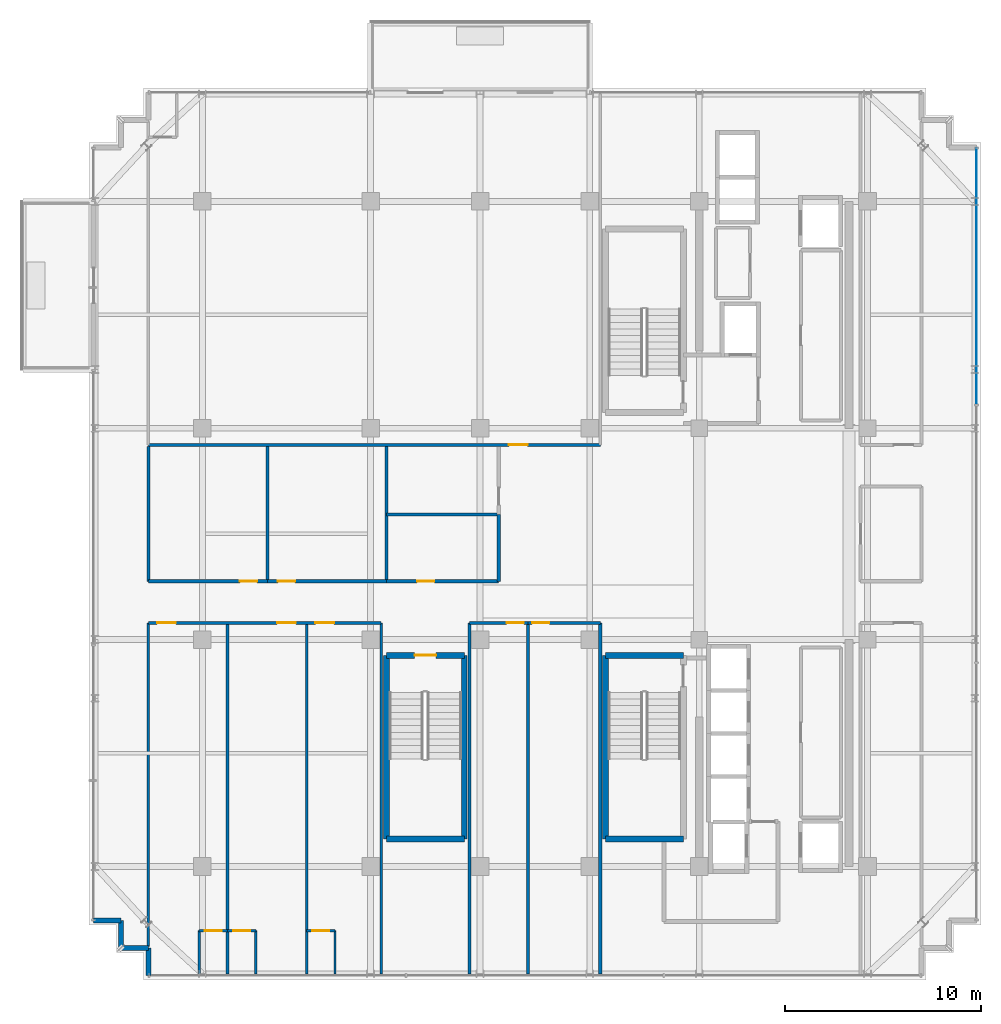
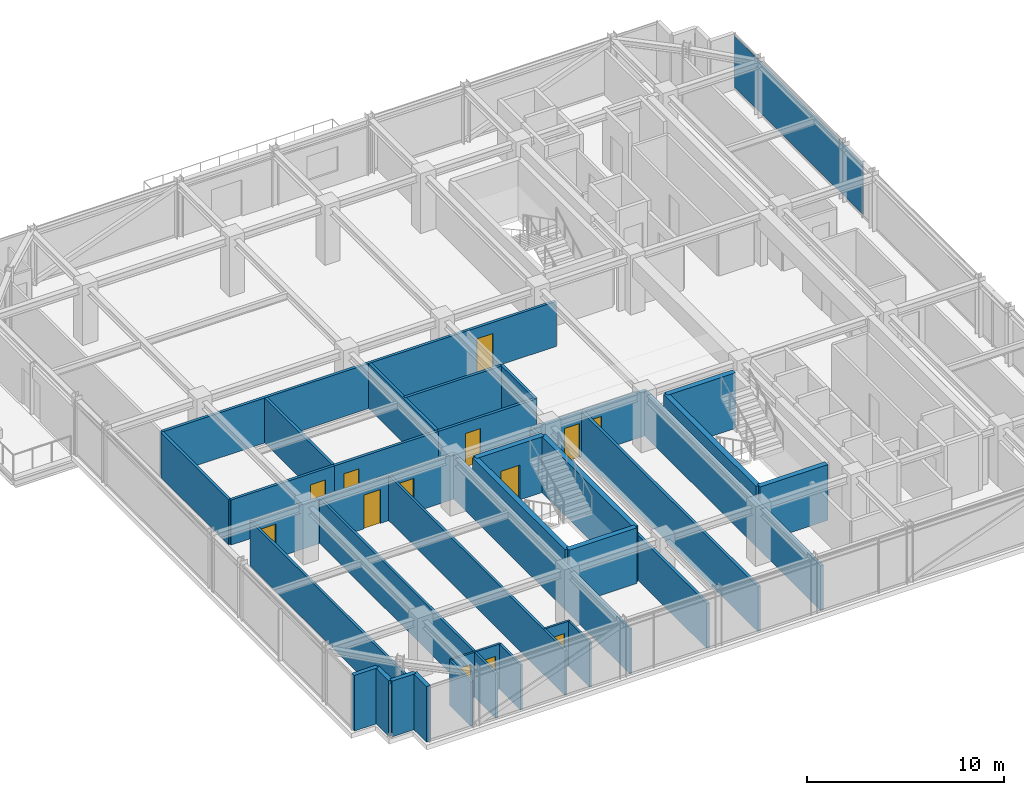
# One storey, part 30 of 36: 36 walls, 13 doors, 1 plate, 13 openings, 1 element without a shape of its own.
"""IFC4 building model written with IfcOpenShell, lengths in metres."""

from ifc_helpers import new_model, si_unit, direction, frame, frame_2d, origin, origin_2d, place, context, subcontext, project, spatial, rectangle, extrude, source, transform, mapped, material, layer, layer_set, type_object, element, fill, aggregate, save


model = new_model("IFC4")

# Units and contexts
model_context = context("Model", 3, precision=1e-05, world=origin(), true_north=direction((0.0, 1.0)))
body_context = subcontext(model_context, "Body", "Model", "MODEL_VIEW")
ifc_project = project(units=[si_unit("LENGTHUNIT", "METRE"), si_unit("AREAUNIT", "SQUARE_METRE"), si_unit("VOLUMEUNIT", "CUBIC_METRE"), si_unit("PLANEANGLEUNIT", "RADIAN"), si_unit("MASSUNIT", "GRAM", prefix="KILO")], contexts=[model_context])

# Site, building, storey
site_placement = place(None, origin())
site = spatial("IfcSite", under=ifc_project, at=site_placement, CompositionType="ELEMENT")
building_placement = place(site_placement, origin())
building = spatial("IfcBuilding", under=site, at=building_placement, Name="Nahalor Promenade Grand Hotel", CompositionType="ELEMENT")
storey_placement = place(building_placement, frame((0.0, 0.0, 273.800048828125)))
storey = spatial("IfcBuildingStorey", under=building, at=storey_placement, Name="L70", CompositionType="ELEMENT", Elevation=273.800048828125)

# Curtain wall, plate
ifc_material_1 = material(Name="Anodised Bronze Aluminium EN AW-6063 T6", Category="aluminium")
curtain_wall_type = type_object("IfcCurtainWallType", Name="CW2 Typical Hotel Flush Bronze Unitised Curtain Wall", PredefinedType="USERDEFINED", material=ifc_material_1)
curtain_wall_placement = place(storey_placement, origin())
curtain_wall = element("IfcCurtainWall", 1, at=curtain_wall_placement, inside=storey, type_object=curtain_wall_type, Name="L70 Curtain Wall CW-L70-E-1", ObjectType="UNITISED_CURTAIN_WALL", PredefinedType="USERDEFINED")
ifc_material_2 = material(Name="Low-E Laminated Solar Glass", Category="glass")
ifc_layer_1 = layer(ifc_material_2, 0.028076171875)
ifc_layer_set_1 = layer_set([ifc_layer_1], Name="Low-E Laminated Solar Glass")
plate_type = type_object("IfcPlateType", Name="CWP2 Bronze Low-E Vision IGU 28mm", PredefinedType="CURTAIN_PANEL", material=ifc_layer_set_1)
shared_shape_1 = source(origin(), body_context, "Body", "SweptSolid", [
    extrude(rectangle(XDim=13.075927734375, YDim=0.028076171875, at=origin_2d()), origin(), (0.0, 0.0, 1.0), 3.18994140625),
])
plate_placement = place(storey_placement, frame((22.56005859375, 13.156982421875, 0.1298828125), z_axis=(0.0, 0.0, 1.0), x_axis=(0.0, 1.0, 0.0)))
plate = element("IfcPlate", 2, at=plate_placement, type_object=plate_type, Name="CW-L70-E-1 Glazing Panel 2-0", PredefinedType="CURTAIN_PANEL", context=body_context, shape_type="MappedRepresentation", body=[
    mapped(shared_shape_1, transform((0.0, 0.0, 0.0), scale=1.0)),
])
aggregate(curtain_wall, [plate])

# Walls
ifc_material_3 = material(Name="Concrete B-50 (C40/50)", Category="concrete")
ifc_layer_2 = layer(ifc_material_3, 0.300048828125)
ifc_layer_set_2 = layer_set([ifc_layer_2], Name="Concrete B-50 (C40/50)")
wall_type_1 = type_object("IfcWallType", Name="Wall-ShaftShear-300", PredefinedType="SHEAR", material=ifc_layer_set_2)
shared_shape_2 = source(origin(), body_context, "Body", "SweptSolid", [
    extrude(rectangle(XDim=3.97998046875, YDim=0.300048828125, at=frame_2d((1.989990234375, 0.0))), origin(), (0.0, 0.0, 1.0), 3.449951171875),
])
for number, where, z_axis, x_axis, name in (
    (3, (3.610107421875, -15.590087890625, 0.0), (0.0, 0.0, 1.0), (1.0, 0.0, 0.0), "L70 Exit Stair ST2 Shaft Wall S"),
    (4, (3.610107421875, -6.2099609375, 0.0), (0.0, 0.0, 1.0), (1.0, 0.0, 0.0), "L70 Exit Stair ST2 Shaft Wall N"),
    (5, (-7.590087890625, -15.590087890625, 0.0), (0.0, 0.0, 1.0), (1.0, 0.0, 0.0), "L70 Exit Stair ST3 Shaft Wall S"),
):
    element("IfcWall", number, at=place(storey_placement, frame(where, z_axis=z_axis, x_axis=x_axis)), inside=storey, type_object=wall_type_1, Name=name, PredefinedType="SHEAR", context=body_context, shape_type="MappedRepresentation", body=[
        mapped(shared_shape_2, transform((0.0, 0.0, 0.0), scale=1.0)),
    ])

# Wall, opening, door
wall_1_placement = place(storey_placement, frame((-7.590087890625, -6.2099609375, 0.0), z_axis=(0.0, 0.0, 1.0), x_axis=(1.0, 0.0, 0.0)))
wall_1 = element("IfcWall", 6, at=wall_1_placement, inside=storey, type_object=wall_type_1, Name="L70 Exit Stair ST3 Shaft Wall N", PredefinedType="SHEAR", context=body_context, shape_type="MappedRepresentation", body=[
    mapped(shared_shape_2, transform((0.0, 0.0, 0.0), scale=1.0)),
])
opening_1_placement = place(wall_1_placement, frame((1.43994140625, 0.0, 0.0)))
opening_1 = element("IfcOpeningElement", 7, at=opening_1_placement, cuts=wall_1, Name="Opening D-ST1", PredefinedType="OPENING", context=body_context, shape_type="SweptSolid", body=[
    extrude(rectangle(XDim=1.10009765625, YDim=2.14990234375, at=frame_2d((0.550048828125, 1.074951171875))), frame((0.0, 0.159912109375, 0.0), z_axis=(0.0, -1.0, 0.0), x_axis=(1.0, 0.0, 0.0)), (0.0, 0.0, 1.0), 0.320068359375),
])
ifc_material_4 = material(Name="Steel S355JR", Category="steel")
door_type_1 = type_object("IfcDoorType", Name="Door-StairFire-1100", OperationType="NOTDEFINED", PredefinedType="DOOR", material=ifc_material_4)
shared_shape_3 = source(origin(), body_context, "Body", "SweptSolid", [
    extrude(rectangle(XDim=1.10009765625, YDim=2.14990234375, at=frame_2d((0.550048828125, 1.074951171875))), frame((0.0, 0.02490234375, 0.0), z_axis=(0.0, -1.0, 0.0), x_axis=(1.0, 0.0, 0.0)), (0.0, 0.0, 1.0), 0.050048828125),
])
door_1_placement = place(opening_1_placement, frame((1.10009765625, 0.0, 0.0), z_axis=(0.0, 0.0, 1.0), x_axis=(-1.0, 0.0, 0.0)))
door_1 = element("IfcDoor", 8, at=door_1_placement, inside=storey, type_object=door_type_1, Name="DR-STAIR-ST3-L70", OperationType="SINGLE_SWING_LEFT", OverallHeight=2.14990234375, OverallWidth=1.10009765625, PredefinedType="DOOR", context=body_context, shape_type="MappedRepresentation", body=[
    mapped(shared_shape_3, transform((0.0, 0.0, 0.0), scale=1.0)),
])
fill(opening_1, door_1)

# Walls
shared_shape_4 = source(origin(), body_context, "Body", "SweptSolid", [
    extrude(rectangle(XDim=9.380126953125, YDim=0.300048828125, at=frame_2d((4.68994140625, 0.0))), origin(), (0.0, 0.0, 1.0), 3.449951171875),
])
for number, where, z_axis, x_axis, name in (
    (9, (3.610107421875, -15.590087890625, 0.0), (0.0, 0.0, 1.0), (0.0, 1.0, 0.0), "L70 Exit Stair ST2 Shaft Wall W"),
    (10, (-7.590087890625, -15.590087890625, 0.0), (0.0, 0.0, 1.0), (0.0, 1.0, 0.0), "L70 Exit Stair ST3 Shaft Wall W"),
    (11, (-3.610107421875, -15.590087890625, 0.0), (0.0, 0.0, 1.0), (0.0, 1.0, 0.0), "L70 Exit Stair ST3 Shaft Wall E"),
):
    element("IfcWall", number, at=place(storey_placement, frame(where, z_axis=z_axis, x_axis=x_axis)), inside=storey, type_object=wall_type_1, Name=name, PredefinedType="SHEAR", context=body_context, shape_type="MappedRepresentation", body=[
        mapped(shared_shape_4, transform((0.0, 0.0, 0.0), scale=1.0)),
    ])
ifc_material_5 = material(Name="Concrete B-40 (C32/40)", Category="concrete")
ifc_layer_3 = layer(ifc_material_5, 0.25)
ifc_layer_set_3 = layer_set([ifc_layer_3], Name="Concrete B-40 (C32/40)")
wall_type_2 = type_object("IfcWallType", Name="Wall-BronzePier-250", PredefinedType="STANDARD", material=ifc_layer_set_3)
shared_shape_5 = source(origin(), body_context, "Body", "SweptSolid", [
    extrude(rectangle(XDim=1.400146484375, YDim=0.25, at=frame_2d((0.7001953125, 0.0))), origin(), (0.0, 0.0, 1.0), 3.449951171875),
])
for number, where, z_axis, x_axis, name in (
    (12, (-22.56005859375, -19.760009765625, 0.0), (0.0, 0.0, 1.0), (1.0, 0.0, 0.0), "W-L70-SR-13"),
    (13, (-19.760009765625, -22.56005859375, 0.0), (0.0, 0.0, 1.0), (0.0, 1.0, 0.0), "W-L70-SR-16"),
):
    element("IfcWall", number, at=place(storey_placement, frame(where, z_axis=z_axis, x_axis=x_axis)), inside=storey, type_object=wall_type_2, Name=name, PredefinedType="STANDARD", context=body_context, shape_type="MappedRepresentation", body=[
        mapped(shared_shape_5, transform((0.0, 0.0, 0.0), scale=1.0)),
    ])
shared_shape_6 = source(origin(), body_context, "Body", "SweptSolid", [
    extrude(rectangle(XDim=1.39990234375, YDim=0.25, at=frame_2d((0.699951171875, 0.0))), origin(), (0.0, 0.0, 1.0), 3.449951171875),
])
for number, where, z_axis, x_axis, name in (
    (14, (-21.159912109375, -21.159912109375, 0.0), (0.0, 0.0, 1.0), (0.0, 1.0, 0.0), "W-L70-SR-14"),
    (15, (-21.159912109375, -21.159912109375, 0.0), (0.0, 0.0, 1.0), (1.0, 0.0, 0.0), "W-L70-SR-15"),
):
    element("IfcWall", number, at=place(storey_placement, frame(where, z_axis=z_axis, x_axis=x_axis)), inside=storey, type_object=wall_type_2, Name=name, PredefinedType="STANDARD", context=body_context, shape_type="MappedRepresentation", body=[
        mapped(shared_shape_6, transform((0.0, 0.0, 0.0), scale=1.0)),
    ])
ifc_material_6 = material(Name="Acoustic Mineral Gypsum", Category="gypsum")
ifc_layer_4 = layer(ifc_material_6, 0.159912109375)
ifc_layer_set_4 = layer_set([ifc_layer_4], Name="Acoustic Mineral Gypsum")
wall_type_3 = type_object("IfcWallType", Name="Wall-PartCorridor-160", PredefinedType="PARTITIONING", material=ifc_layer_set_4)
shared_shape_7 = source(origin(), body_context, "Body", "SweptSolid", [
    extrude(rectangle(XDim=17.949951171875, YDim=0.159912109375, at=frame_2d((8.97509765625, 0.0))), origin(), (0.0, 0.0, 1.0), 2.7900390625),
])
for number, where, z_axis, x_axis, name in (
    (16, (-3.340087890625, -22.5, 0.0), (0.0, 0.0, 1.0), (0.0, 1.0, 0.0), "W-L70-SCB1-W"),
    (17, (-0.35009765625, -22.5, 0.0), (0.0, 0.0, 1.0), (0.0, 1.0, 0.0), "W-L70-SCB1-E"),
    (18, (3.340087890625, -22.5, 0.0), (0.0, 0.0, 1.0), (0.0, 1.0, 0.0), "W-L70-SCB2-E"),
):
    element("IfcWall", number, at=place(storey_placement, frame(where, z_axis=z_axis, x_axis=x_axis)), inside=storey, type_object=wall_type_3, Name=name, PredefinedType="PARTITIONING", context=body_context, shape_type="MappedRepresentation", body=[
        mapped(shared_shape_7, transform((0.0, 0.0, 0.0), scale=1.0)),
    ])

# Wall, opening, door
shared_shape_8 = source(origin(), body_context, "Body", "SweptSolid", [
    extrude(rectangle(XDim=23.10009765625, YDim=0.159912109375, at=frame_2d((11.550048828125, 0.0))), origin(), (0.0, 0.0, 1.0), 2.7900390625),
])
wall_2_placement = place(storey_placement, frame((-19.760009765625, 4.550048828125, 0.0), z_axis=(0.0, 0.0, 1.0), x_axis=(1.0, 0.0, 0.0)))
wall_2 = element("IfcWall", 19, at=wall_2_placement, inside=storey, type_object=wall_type_3, Name="W-L70-CORR-N", PredefinedType="PARTITIONING", context=body_context, shape_type="MappedRepresentation", body=[
    mapped(shared_shape_8, transform((0.0, 0.0, 0.0), scale=1.0)),
])
opening_2_placement = place(wall_2_placement, frame((18.43505859375, 0.0, 0.0)))
opening_2 = element("IfcOpeningElement", 20, at=opening_2_placement, cuts=wall_2, Name="Opening D-01", PredefinedType="OPENING", context=body_context, shape_type="SweptSolid", body=[
    extrude(rectangle(XDim=0.949951171875, YDim=2.10009765625, at=frame_2d((0.47509765625, 1.050048828125))), frame((0.0, 0.08984375, 0.0), z_axis=(0.0, -1.0, 0.0), x_axis=(1.0, 0.0, 0.0)), (0.0, 0.0, 1.0), 0.179931640625),
])
ifc_material_7 = material(Name="Fire-Rated Timber Composite", Category="wood")
door_type_2 = type_object("IfcDoorType", Name="Door-GuestEntry-950", OperationType="NOTDEFINED", PredefinedType="DOOR", material=ifc_material_7)
shared_shape_9 = source(origin(), body_context, "Body", "SweptSolid", [
    extrude(rectangle(XDim=0.949951171875, YDim=2.10009765625, at=frame_2d((0.47509765625, 1.050048828125))), frame((0.0, 0.02490234375, 0.0), z_axis=(0.0, -1.0, 0.0), x_axis=(1.0, 0.0, 0.0)), (0.0, 0.0, 1.0), 0.050048828125),
])
door_2_placement = place(opening_2_placement, origin())
door_2 = element("IfcDoor", 21, at=door_2_placement, inside=storey, type_object=door_type_2, Name="DR-L70-N1-ENT", OperationType="SINGLE_SWING_LEFT", OverallHeight=2.10009765625, OverallWidth=0.949951171875, PredefinedType="DOOR", context=body_context, shape_type="MappedRepresentation", body=[
    mapped(shared_shape_9, transform((0.0, 0.0, 0.0), scale=1.0)),
])
fill(opening_2, door_2)

# Walls
ifc_layer_5 = layer(ifc_material_6, 0.139892578125)
ifc_layer_set_5 = layer_set([ifc_layer_5], Name="Acoustic Mineral Gypsum")
wall_type_4 = type_object("IfcWallType", Name="Wall-PartSuite-140", PredefinedType="PARTITIONING", material=ifc_layer_set_5)
shared_shape_10 = source(origin(), body_context, "Body", "SweptSolid", [
    extrude(rectangle(XDim=16.530029296875, YDim=0.139892578125, at=frame_2d((8.26513671875, 0.0))), origin(), (0.0, 0.0, 1.0), 2.7900390625),
])
wall_3_placement = place(storey_placement, frame((-19.760009765625, -21.080078125, 0.0), z_axis=(0.0, 0.0, 1.0), x_axis=(0.0, 1.0, 0.0)))
element("IfcWall", 22, at=wall_3_placement, inside=storey, type_object=wall_type_4, Name="W-L70-SW-ENDW", PredefinedType="PARTITIONING", context=body_context, shape_type="MappedRepresentation", body=[
    mapped(shared_shape_10, transform((0.0, 0.0, 0.0), scale=1.0)),
])
shared_shape_11 = source(origin(), body_context, "Body", "SweptSolid", [
    extrude(rectangle(XDim=17.949951171875, YDim=0.139892578125, at=frame_2d((8.97509765625, 0.0))), origin(), (0.0, 0.0, 1.0), 2.7900390625),
])
for number, where, z_axis, x_axis, name in (
    (23, (-7.860107421875, -22.5, 0.0), (0.0, 0.0, 1.0), (0.0, 1.0, 0.0), "W-L70-SW-ENDE"),
    (24, (-15.714111328125, -22.5, 0.0), (0.0, 0.0, 1.0), (0.0, 1.0, 0.0), "W-L70-SP-1"),
    (25, (-11.66796875, -22.5, 0.0), (0.0, 0.0, 1.0), (0.0, 1.0, 0.0), "W-L70-SP-2"),
):
    element("IfcWall", number, at=place(storey_placement, frame(where, z_axis=z_axis, x_axis=x_axis)), inside=storey, type_object=wall_type_4, Name=name, PredefinedType="PARTITIONING", context=body_context, shape_type="MappedRepresentation", body=[
        mapped(shared_shape_11, transform((0.0, 0.0, 0.0), scale=1.0)),
    ])

# Wall, opening, door
ifc_layer_6 = layer(ifc_material_6, 0.1201171875)
ifc_layer_set_6 = layer_set([ifc_layer_6], Name="Acoustic Mineral Gypsum")
wall_type_5 = type_object("IfcWallType", Name="Wall-PartBath-120", PredefinedType="PARTITIONING", material=ifc_layer_set_6)
shared_shape_12 = source(origin(), body_context, "Body", "SweptSolid", [
    extrude(rectangle(XDim=1.449951171875, YDim=0.1201171875, at=frame_2d((0.72509765625, 0.0))), origin(), (0.0, 0.0, 1.0), 2.7900390625),
])
wall_4_placement = place(storey_placement, frame((-17.1640625, -20.280029296875, 0.0), z_axis=(0.0, 0.0, 1.0), x_axis=(1.0, 0.0, 0.0)))
wall_4 = element("IfcWall", 26, at=wall_4_placement, inside=storey, type_object=wall_type_5, Name="W-L70-S1-BH", PredefinedType="PARTITIONING", context=body_context, shape_type="MappedRepresentation", body=[
    mapped(shared_shape_12, transform((0.0, 0.0, 0.0), scale=1.0)),
])
opening_3_placement = place(wall_4_placement, frame((0.284912109375, 0.0, 0.0)))
opening_3 = element("IfcOpeningElement", 27, at=opening_3_placement, cuts=wall_4, Name="Opening D-03", PredefinedType="OPENING", context=body_context, shape_type="SweptSolid", body=[
    extrude(rectangle(XDim=0.8798828125, YDim=2.10009765625, at=frame_2d((0.43994140625, 1.050048828125))), frame((0.0, 0.070068359375, 0.0), z_axis=(0.0, -1.0, 0.0), x_axis=(1.0, 0.0, 0.0)), (0.0, 0.0, 1.0), 0.14013671875),
])
door_type_3 = type_object("IfcDoorType", Name="Door-BathSwing-880", OperationType="NOTDEFINED", PredefinedType="DOOR", material=ifc_material_7)
shared_shape_13 = source(origin(), body_context, "Body", "SweptSolid", [
    extrude(rectangle(XDim=0.8798828125, YDim=2.10009765625, at=frame_2d((0.43994140625, 1.050048828125))), frame((0.0, 0.02490234375, 0.0), z_axis=(0.0, -1.0, 0.0), x_axis=(1.0, 0.0, 0.0)), (0.0, 0.0, 1.0), 0.050048828125),
])
door_3_placement = place(opening_3_placement, frame((0.8798828125, 0.0, 0.0), z_axis=(0.0, 0.0, 1.0), x_axis=(-1.0, 0.0, 0.0)))
door_3 = element("IfcDoor", 28, at=door_3_placement, inside=storey, type_object=door_type_3, Name="DR-L70-S1-BATH", OperationType="SINGLE_SWING_RIGHT", OverallHeight=2.10009765625, OverallWidth=0.8798828125, PredefinedType="DOOR", context=body_context, shape_type="MappedRepresentation", body=[
    mapped(shared_shape_13, transform((0.0, 0.0, 0.0), scale=1.0)),
])
fill(opening_3, door_3)

wall_5_placement = place(storey_placement, frame((-11.66796875, -20.280029296875, 0.0), z_axis=(0.0, 0.0, 1.0), x_axis=(1.0, 0.0, 0.0)))
wall_5 = element("IfcWall", 29, at=wall_5_placement, inside=storey, type_object=wall_type_5, Name="W-L70-S3-BH", PredefinedType="PARTITIONING", context=body_context, shape_type="MappedRepresentation", body=[
    mapped(shared_shape_12, transform((0.0, 0.0, 0.0), scale=1.0)),
])
opening_4_placement = place(wall_5_placement, frame((0.284912109375, 0.0, 0.0)))
opening_4 = element("IfcOpeningElement", 30, at=opening_4_placement, cuts=wall_5, Name="Opening D-03", PredefinedType="OPENING", context=body_context, shape_type="SweptSolid", body=[
    extrude(rectangle(XDim=0.8798828125, YDim=2.10009765625, at=frame_2d((0.43994140625, 1.050048828125))), frame((0.0, 0.070068359375, 0.0), z_axis=(0.0, -1.0, 0.0), x_axis=(1.0, 0.0, 0.0)), (0.0, 0.0, 1.0), 0.14013671875),
])
door_4_placement = place(opening_4_placement, frame((0.8798828125, 0.0, 0.0), z_axis=(0.0, 0.0, 1.0), x_axis=(-1.0, 0.0, 0.0)))
door_4 = element("IfcDoor", 31, at=door_4_placement, inside=storey, type_object=door_type_3, Name="DR-L70-S3-BATH", OperationType="SINGLE_SWING_RIGHT", OverallHeight=2.10009765625, OverallWidth=0.8798828125, PredefinedType="DOOR", context=body_context, shape_type="MappedRepresentation", body=[
    mapped(shared_shape_13, transform((0.0, 0.0, 0.0), scale=1.0)),
])
fill(opening_4, door_4)

# Walls
shared_shape_14 = source(origin(), body_context, "Body", "SweptSolid", [
    extrude(rectangle(XDim=2.219970703125, YDim=0.1201171875, at=frame_2d((1.10986328125, 0.0))), origin(), (0.0, 0.0, 1.0), 2.7900390625),
])
for number, where, z_axis, x_axis, name in (
    (32, (-17.1640625, -22.5, 0.0), (0.0, 0.0, 1.0), (0.0, 1.0, 0.0), "W-L70-S1-BV"),
    (33, (-14.263916015625, -22.5, 0.0), (0.0, 0.0, 1.0), (0.0, 1.0, 0.0), "W-L70-S2-BV"),
    (34, (-10.218017578125, -22.5, 0.0), (0.0, 0.0, 1.0), (0.0, 1.0, 0.0), "W-L70-S3-BV"),
):
    element("IfcWall", number, at=place(storey_placement, frame(where, z_axis=z_axis, x_axis=x_axis)), inside=storey, type_object=wall_type_5, Name=name, PredefinedType="PARTITIONING", context=body_context, shape_type="MappedRepresentation", body=[
        mapped(shared_shape_14, transform((0.0, 0.0, 0.0), scale=1.0)),
    ])

# Wall, openings, doors
shared_shape_15 = source(origin(), body_context, "Body", "SweptSolid", [
    extrude(rectangle(XDim=11.89990234375, YDim=0.159912109375, at=frame_2d((5.949951171875, 0.0))), origin(), (0.0, 0.0, 1.0), 2.7900390625),
])
wall_6_placement = place(storey_placement, frame((-19.760009765625, -4.550048828125, 0.0), z_axis=(0.0, 0.0, 1.0), x_axis=(1.0, 0.0, 0.0)))
wall_6 = element("IfcWall", 35, at=wall_6_placement, inside=storey, type_object=wall_type_3, Name="W-L70-CORR-S", PredefinedType="PARTITIONING", context=body_context, shape_type="MappedRepresentation", body=[
    mapped(shared_shape_15, transform((0.0, 0.0, 0.0), scale=1.0)),
])
opening_5_placement = place(wall_6_placement, frame((0.455078125, 0.0, 0.0)))
opening_5 = element("IfcOpeningElement", 36, at=opening_5_placement, cuts=wall_6, Name="Opening D-01", PredefinedType="OPENING", context=body_context, shape_type="SweptSolid", body=[
    extrude(rectangle(XDim=0.949951171875, YDim=2.10009765625, at=frame_2d((0.47509765625, 1.050048828125))), frame((0.0, 0.08984375, 0.0), z_axis=(0.0, -1.0, 0.0), x_axis=(1.0, 0.0, 0.0)), (0.0, 0.0, 1.0), 0.179931640625),
])
opening_6_placement = place(wall_6_placement, frame((6.587890625, 0.0, 0.0)))
opening_6 = element("IfcOpeningElement", 37, at=opening_6_placement, cuts=wall_6, Name="Opening D-01", PredefinedType="OPENING", context=body_context, shape_type="SweptSolid", body=[
    extrude(rectangle(XDim=0.949951171875, YDim=2.10009765625, at=frame_2d((0.47509765625, 1.050048828125))), frame((0.0, 0.08984375, 0.0), z_axis=(0.0, -1.0, 0.0), x_axis=(1.0, 0.0, 0.0)), (0.0, 0.0, 1.0), 0.179931640625),
])
opening_7_placement = place(wall_6_placement, frame((8.5419921875, 0.0, 0.0)))
opening_7 = element("IfcOpeningElement", 38, at=opening_7_placement, cuts=wall_6, Name="Opening D-01", PredefinedType="OPENING", context=body_context, shape_type="SweptSolid", body=[
    extrude(rectangle(XDim=0.949951171875, YDim=2.10009765625, at=frame_2d((0.47509765625, 1.050048828125))), frame((0.0, 0.08984375, 0.0), z_axis=(0.0, -1.0, 0.0), x_axis=(1.0, 0.0, 0.0)), (0.0, 0.0, 1.0), 0.179931640625),
])
door_5_placement = place(opening_5_placement, frame((0.949951171875, 0.0, 0.0), z_axis=(0.0, 0.0, 1.0), x_axis=(-1.0, 0.0, 0.0)))
door_5 = element("IfcDoor", 39, at=door_5_placement, inside=storey, type_object=door_type_2, Name="DR-L70-S1-ENT", OperationType="SINGLE_SWING_LEFT", OverallHeight=2.10009765625, OverallWidth=0.949951171875, PredefinedType="DOOR", context=body_context, shape_type="MappedRepresentation", body=[
    mapped(shared_shape_9, transform((0.0, 0.0, 0.0), scale=1.0)),
])
fill(opening_5, door_5)
door_6_placement = place(opening_6_placement, frame((0.949951171875, 0.0, 0.0), z_axis=(0.0, 0.0, 1.0), x_axis=(-1.0, 0.0, 0.0)))
door_6 = element("IfcDoor", 40, at=door_6_placement, inside=storey, type_object=door_type_2, Name="DR-L70-S2-ENT", OperationType="SINGLE_SWING_LEFT", OverallHeight=2.10009765625, OverallWidth=0.949951171875, PredefinedType="DOOR", context=body_context, shape_type="MappedRepresentation", body=[
    mapped(shared_shape_9, transform((0.0, 0.0, 0.0), scale=1.0)),
])
fill(opening_6, door_6)
door_7_placement = place(opening_7_placement, frame((0.949951171875, 0.0, 0.0), z_axis=(0.0, 0.0, 1.0), x_axis=(-1.0, 0.0, 0.0)))
door_7 = element("IfcDoor", 41, at=door_7_placement, inside=storey, type_object=door_type_2, Name="DR-L70-S3-ENT", OperationType="SINGLE_SWING_LEFT", OverallHeight=2.10009765625, OverallWidth=0.949951171875, PredefinedType="DOOR", context=body_context, shape_type="MappedRepresentation", body=[
    mapped(shared_shape_9, transform((0.0, 0.0, 0.0), scale=1.0)),
])
fill(opening_7, door_7)

# Wall, opening, door
shared_shape_16 = source(origin(), body_context, "Body", "SweptSolid", [
    extrude(rectangle(XDim=1.4501953125, YDim=0.1201171875, at=frame_2d((0.72509765625, 0.0))), origin(), (0.0, 0.0, 1.0), 2.7900390625),
])
wall_7_placement = place(storey_placement, frame((-15.714111328125, -20.280029296875, 0.0), z_axis=(0.0, 0.0, 1.0), x_axis=(1.0, 0.0, 0.0)))
wall_7 = element("IfcWall", 42, at=wall_7_placement, inside=storey, type_object=wall_type_5, Name="W-L70-S2-BH", PredefinedType="PARTITIONING", context=body_context, shape_type="MappedRepresentation", body=[
    mapped(shared_shape_16, transform((0.0, 0.0, 0.0), scale=1.0)),
])
opening_8_placement = place(wall_7_placement, frame((0.284912109375, 0.0, 0.0)))
opening_8 = element("IfcOpeningElement", 43, at=opening_8_placement, cuts=wall_7, Name="Opening D-03", PredefinedType="OPENING", context=body_context, shape_type="SweptSolid", body=[
    extrude(rectangle(XDim=0.8798828125, YDim=2.10009765625, at=frame_2d((0.43994140625, 1.050048828125))), frame((0.0, 0.070068359375, 0.0), z_axis=(0.0, -1.0, 0.0), x_axis=(1.0, 0.0, 0.0)), (0.0, 0.0, 1.0), 0.14013671875),
])
door_8_placement = place(opening_8_placement, frame((0.8798828125, 0.0, 0.0), z_axis=(0.0, 0.0, 1.0), x_axis=(-1.0, 0.0, 0.0)))
door_8 = element("IfcDoor", 44, at=door_8_placement, inside=storey, type_object=door_type_3, Name="DR-L70-S2-BATH", OperationType="SINGLE_SWING_RIGHT", OverallHeight=2.10009765625, OverallWidth=0.8798828125, PredefinedType="DOOR", context=body_context, shape_type="MappedRepresentation", body=[
    mapped(shared_shape_13, transform((0.0, 0.0, 0.0), scale=1.0)),
])
fill(opening_8, door_8)

shared_shape_17 = source(origin(), body_context, "Body", "SweptSolid", [
    extrude(rectangle(XDim=2.989990234375, YDim=0.159912109375, at=frame_2d((1.4951171875, 0.0))), origin(), (0.0, 0.0, 1.0), 2.7900390625),
])
wall_8_placement = place(storey_placement, frame((-3.340087890625, -4.550048828125, 0.0), z_axis=(0.0, 0.0, 1.0), x_axis=(1.0, 0.0, 0.0)))
wall_8 = element("IfcWall", 45, at=wall_8_placement, inside=storey, type_object=wall_type_3, Name="W-L70-SCB1-N", PredefinedType="PARTITIONING", context=body_context, shape_type="MappedRepresentation", body=[
    mapped(shared_shape_17, transform((0.0, 0.0, 0.0), scale=1.0)),
])
opening_9_placement = place(wall_8_placement, frame((1.89990234375, 0.0, 0.0)))
opening_9 = element("IfcOpeningElement", 46, at=opening_9_placement, cuts=wall_8, Name="Opening D-03", PredefinedType="OPENING", context=body_context, shape_type="SweptSolid", body=[
    extrude(rectangle(XDim=0.8798828125, YDim=2.10009765625, at=frame_2d((0.43994140625, 1.050048828125))), frame((0.0, 0.08984375, 0.0), z_axis=(0.0, -1.0, 0.0), x_axis=(1.0, 0.0, 0.0)), (0.0, 0.0, 1.0), 0.179931640625),
])
door_9_placement = place(opening_9_placement, frame((0.8798828125, 0.0, 0.0), z_axis=(0.0, 0.0, 1.0), x_axis=(-1.0, 0.0, 0.0)))
door_9 = element("IfcDoor", 47, at=door_9_placement, inside=storey, type_object=door_type_3, Name="DR-L70-SCB1", OperationType="SINGLE_SWING_RIGHT", OverallHeight=2.10009765625, OverallWidth=0.8798828125, PredefinedType="DOOR", context=body_context, shape_type="MappedRepresentation", body=[
    mapped(shared_shape_13, transform((0.0, 0.0, 0.0), scale=1.0)),
])
fill(opening_9, door_9)

shared_shape_18 = source(origin(), body_context, "Body", "SweptSolid", [
    extrude(rectangle(XDim=3.690185546875, YDim=0.159912109375, at=frame_2d((1.84521484375, 0.0))), origin(), (0.0, 0.0, 1.0), 2.7900390625),
])
wall_9_placement = place(storey_placement, frame((-0.35009765625, -4.550048828125, 0.0), z_axis=(0.0, 0.0, 1.0), x_axis=(1.0, 0.0, 0.0)))
wall_9 = element("IfcWall", 48, at=wall_9_placement, inside=storey, type_object=wall_type_3, Name="W-L70-SCB2-N", PredefinedType="PARTITIONING", context=body_context, shape_type="MappedRepresentation", body=[
    mapped(shared_shape_18, transform((0.0, 0.0, 0.0), scale=1.0)),
])
opening_10_placement = place(wall_9_placement, frame((0.2099609375, 0.0, 0.0)))
opening_10 = element("IfcOpeningElement", 49, at=opening_10_placement, cuts=wall_9, Name="Opening D-03", PredefinedType="OPENING", context=body_context, shape_type="SweptSolid", body=[
    extrude(rectangle(XDim=0.8798828125, YDim=2.10009765625, at=frame_2d((0.43994140625, 1.050048828125))), frame((0.0, 0.08984375, 0.0), z_axis=(0.0, -1.0, 0.0), x_axis=(1.0, 0.0, 0.0)), (0.0, 0.0, 1.0), 0.179931640625),
])
door_10_placement = place(opening_10_placement, frame((0.8798828125, 0.0, 0.0), z_axis=(0.0, 0.0, 1.0), x_axis=(-1.0, 0.0, 0.0)))
door_10 = element("IfcDoor", 50, at=door_10_placement, inside=storey, type_object=door_type_3, Name="DR-L70-SCB2", OperationType="SINGLE_SWING_LEFT", OverallHeight=2.10009765625, OverallWidth=0.8798828125, PredefinedType="DOOR", context=body_context, shape_type="MappedRepresentation", body=[
    mapped(shared_shape_13, transform((0.0, 0.0, 0.0), scale=1.0)),
])
fill(opening_10, door_10)

shared_shape_19 = source(origin(), body_context, "Body", "SweptSolid", [
    extrude(rectangle(XDim=6.089111328125, YDim=0.159912109375, at=frame_2d((3.04443359375, 0.0))), origin(), (0.0, 0.0, 1.0), 2.7900390625),
])
wall_10_placement = place(storey_placement, frame((-19.760009765625, -2.419921875, 0.0), z_axis=(0.0, 0.0, 1.0), x_axis=(1.0, 0.0, 0.0)))
wall_10 = element("IfcWall", 51, at=wall_10_placement, inside=storey, type_object=wall_type_3, Name="W-L70-ZW1-S", PredefinedType="PARTITIONING", context=body_context, shape_type="MappedRepresentation", body=[
    mapped(shared_shape_19, transform((0.0, 0.0, 0.0), scale=1.0)),
])
opening_11_placement = place(wall_10_placement, frame((4.675048828125, 0.0, 0.0)))
opening_11 = element("IfcOpeningElement", 52, at=opening_11_placement, cuts=wall_10, Name="Opening D-03", PredefinedType="OPENING", context=body_context, shape_type="SweptSolid", body=[
    extrude(rectangle(XDim=0.8798828125, YDim=2.10009765625, at=frame_2d((0.43994140625, 1.050048828125))), frame((0.0, 0.08984375, 0.0), z_axis=(0.0, -1.0, 0.0), x_axis=(1.0, 0.0, 0.0)), (0.0, 0.0, 1.0), 0.179931640625),
])
door_11_placement = place(opening_11_placement, origin())
door_11 = element("IfcDoor", 53, at=door_11_placement, inside=storey, type_object=door_type_3, Name="DR-L70-ZW1", OperationType="SINGLE_SWING_RIGHT", OverallHeight=2.10009765625, OverallWidth=0.8798828125, PredefinedType="DOOR", context=body_context, shape_type="MappedRepresentation", body=[
    mapped(shared_shape_13, transform((0.0, 0.0, 0.0), scale=1.0)),
])
fill(opening_11, door_11)

# Walls
shared_shape_20 = source(origin(), body_context, "Body", "SweptSolid", [
    extrude(rectangle(XDim=6.889892578125, YDim=0.159912109375, at=frame_2d((3.44482421875, 0.0))), origin(), (0.0, 0.0, 1.0), 2.7900390625),
])
for number, where, z_axis, x_axis, name in (
    (54, (-19.760009765625, -2.419921875, 0.0), (0.0, 0.0, 1.0), (0.0, 1.0, 0.0), "W-L70-ZW1-W"),
    (55, (-13.6708984375, -2.419921875, 0.0), (0.0, 0.0, 1.0), (0.0, 1.0, 0.0), "W-L70-ZW1-E"),
    (56, (-7.5810546875, -2.419921875, 0.0), (0.0, 0.0, 1.0), (0.0, 1.0, 0.0), "W-L70-ZW2-E"),
):
    element("IfcWall", number, at=place(storey_placement, frame(where, z_axis=z_axis, x_axis=x_axis)), inside=storey, type_object=wall_type_3, Name=name, PredefinedType="PARTITIONING", context=body_context, shape_type="MappedRepresentation", body=[
        mapped(shared_shape_20, transform((0.0, 0.0, 0.0), scale=1.0)),
    ])

# Wall, opening, door
shared_shape_21 = source(origin(), body_context, "Body", "SweptSolid", [
    extrude(rectangle(XDim=6.08984375, YDim=0.159912109375, at=frame_2d((3.044921875, 0.0))), origin(), (0.0, 0.0, 1.0), 2.7900390625),
])
wall_11_placement = place(storey_placement, frame((-13.6708984375, -2.419921875, 0.0), z_axis=(0.0, 0.0, 1.0), x_axis=(1.0, 0.0, 0.0)))
wall_11 = element("IfcWall", 57, at=wall_11_placement, inside=storey, type_object=wall_type_3, Name="W-L70-ZW2-S", PredefinedType="PARTITIONING", context=body_context, shape_type="MappedRepresentation", body=[
    mapped(shared_shape_21, transform((0.0, 0.0, 0.0), scale=1.0)),
])
opening_12_placement = place(wall_11_placement, frame((0.533935546875, 0.0, 0.0)))
opening_12 = element("IfcOpeningElement", 58, at=opening_12_placement, cuts=wall_11, Name="Opening D-03", PredefinedType="OPENING", context=body_context, shape_type="SweptSolid", body=[
    extrude(rectangle(XDim=0.8798828125, YDim=2.10009765625, at=frame_2d((0.43994140625, 1.050048828125))), frame((0.0, 0.08984375, 0.0), z_axis=(0.0, -1.0, 0.0), x_axis=(1.0, 0.0, 0.0)), (0.0, 0.0, 1.0), 0.179931640625),
])
door_12_placement = place(opening_12_placement, origin())
door_12 = element("IfcDoor", 59, at=door_12_placement, inside=storey, type_object=door_type_3, Name="DR-L70-ZW2", OperationType="SINGLE_SWING_LEFT", OverallHeight=2.10009765625, OverallWidth=0.8798828125, PredefinedType="DOOR", context=body_context, shape_type="MappedRepresentation", body=[
    mapped(shared_shape_13, transform((0.0, 0.0, 0.0), scale=1.0)),
])
fill(opening_12, door_12)

shared_shape_22 = source(origin(), body_context, "Body", "SweptSolid", [
    extrude(rectangle(XDim=5.73095703125, YDim=0.159912109375, at=frame_2d((2.865478515625, 0.0))), origin(), (0.0, 0.0, 1.0), 2.7900390625),
])
wall_12_placement = place(storey_placement, frame((-7.5810546875, -2.419921875, 0.0), z_axis=(0.0, 0.0, 1.0), x_axis=(1.0, 0.0, 0.0)))
wall_12 = element("IfcWall", 60, at=wall_12_placement, inside=storey, type_object=wall_type_3, Name="W-L70-ZW3-S", PredefinedType="PARTITIONING", context=body_context, shape_type="MappedRepresentation", body=[
    mapped(shared_shape_22, transform((0.0, 0.0, 0.0), scale=1.0)),
])
opening_13_placement = place(wall_12_placement, frame((1.56201171875, 0.0, 0.0)))
opening_13 = element("IfcOpeningElement", 61, at=opening_13_placement, cuts=wall_12, Name="Opening D-03", PredefinedType="OPENING", context=body_context, shape_type="SweptSolid", body=[
    extrude(rectangle(XDim=0.8798828125, YDim=2.10009765625, at=frame_2d((0.43994140625, 1.050048828125))), frame((0.0, 0.08984375, 0.0), z_axis=(0.0, -1.0, 0.0), x_axis=(1.0, 0.0, 0.0)), (0.0, 0.0, 1.0), 0.179931640625),
])
door_13_placement = place(opening_13_placement, origin())
door_13 = element("IfcDoor", 62, at=door_13_placement, inside=storey, type_object=door_type_3, Name="DR-L70-ZW3", OperationType="SINGLE_SWING_RIGHT", OverallHeight=2.10009765625, OverallWidth=0.8798828125, PredefinedType="DOOR", context=body_context, shape_type="MappedRepresentation", body=[
    mapped(shared_shape_13, transform((0.0, 0.0, 0.0), scale=1.0)),
])
fill(opening_13, door_13)

# Walls
wall_13_placement = place(storey_placement, frame((-7.5810546875, 1.0, 0.0), z_axis=(0.0, 0.0, 1.0), x_axis=(1.0, 0.0, 0.0)))
element("IfcWall", 63, at=wall_13_placement, inside=storey, type_object=wall_type_3, Name="W-L70-ZW3-N", PredefinedType="PARTITIONING", context=body_context, shape_type="MappedRepresentation", body=[
    mapped(shared_shape_22, transform((0.0, 0.0, 0.0), scale=1.0)),
])
shared_shape_23 = source(origin(), body_context, "Body", "SweptSolid", [
    extrude(rectangle(XDim=3.419921875, YDim=0.159912109375, at=frame_2d((1.7099609375, 0.0))), origin(), (0.0, 0.0, 1.0), 2.7900390625),
])
wall_14_placement = place(storey_placement, frame((-1.85009765625, -2.419921875, 0.0), z_axis=(0.0, 0.0, 1.0), x_axis=(0.0, 1.0, 0.0)))
element("IfcWall", 64, at=wall_14_placement, inside=storey, type_object=wall_type_3, Name="W-L70-ZW3-E", PredefinedType="PARTITIONING", context=body_context, shape_type="MappedRepresentation", body=[
    mapped(shared_shape_23, transform((0.0, 0.0, 0.0), scale=1.0)),
])

save(model, "model.ifc")
